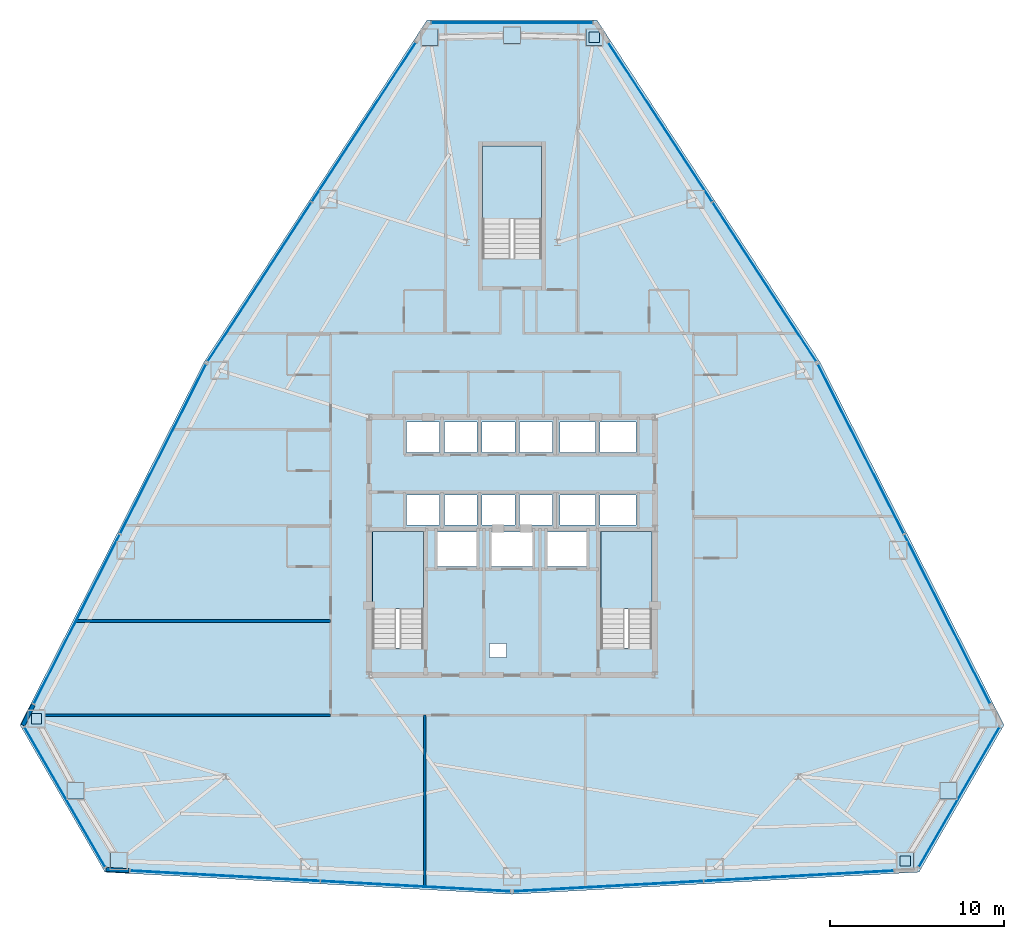
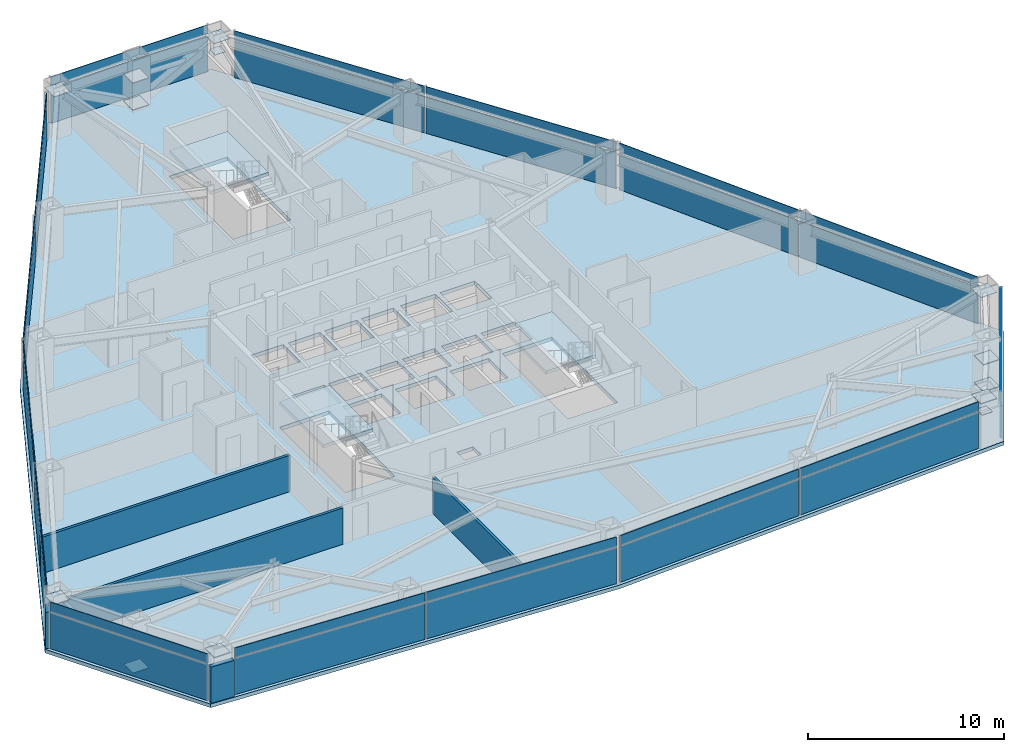
# One storey, part 8 of 12: 45 plates, 5 walls, 4 slabs, 12 elements without a shape of their own.
"""IFC4 building model written with IfcOpenShell, lengths in metres."""

import ifcopenshell
import ifcopenshell.guid

model = None  # the IFC model being written
_history = None  # IfcOwnerHistory: only IFC2X3 demands one
_inside = {}  # id of a spatial element -> (the spatial element, [elements in it])
_under = {}  # id of a project, library or spatial element -> (it, [spatial elements below it])
_declared = {}  # id of a project -> (the project, [libraries it declares])
_typed = {}  # id of a type object -> (the type object, [elements of that type])
_made_of = {}  # id of a material, layer set ... -> (it, [elements and type objects made of it])


def new_model(schema):
    """Start an empty IFC model of exactly this schema.

    Asked for "IFC4X3", IfcOpenShell would pick the latest addendum, in which some entities
    have other attributes; the version numbers below select the first issue.
    IFC2X3 requires an IfcOwnerHistory on every rooted entity: one is made here for all.
    """
    global model, _history
    if schema == "IFC4X3":
        model = ifcopenshell.file(schema_version=(4, 3, 0, 0))
    else:
        model = ifcopenshell.file(schema=schema)
    _inside.clear()
    _under.clear()
    _declared.clear()
    _typed.clear()
    _made_of.clear()
    _history = None
    if model.schema == "IFC2X3":
        org = make("IfcOrganization", Name="unknown")
        user = make(
            "IfcPersonAndOrganization",
            ThePerson=make("IfcPerson", FamilyName="unknown"),
            TheOrganization=org,
        )
        app = make(
            "IfcApplication",
            ApplicationDeveloper=org,
            Version="unknown",
            ApplicationFullName="unknown",
            ApplicationIdentifier="unknown",
        )
        _history = make(
            "IfcOwnerHistory",
            OwningUser=user,
            OwningApplication=app,
            ChangeAction="ADDED",
            CreationDate=0,
        )
    return model


def make(cls, **values):
    """One entity of the class cls with the attributes given. An attribute that is None is left unset."""
    return model.create_entity(
        cls, **{name: value for name, value in values.items() if value is not None}
    )


def rooted(cls, **values):
    """An entity with a GlobalId (a new one), such as an element, a storey or a relation."""
    return make(cls, GlobalId=ifcopenshell.guid.new(), OwnerHistory=_history, **values)


def si_unit(unit_type, name, prefix=None):
    """IfcSIUnit, for example si_unit("LENGTHUNIT", "METRE", prefix="MILLI")."""
    return make("IfcSIUnit", UnitType=unit_type, Prefix=prefix, Name=name)


def assignment(units):
    """IfcUnitAssignment: the units of a project."""
    return None if units is None else make("IfcUnitAssignment", Units=units)


def point(xyz):
    """IfcCartesianPoint."""
    return None if xyz is None else make("IfcCartesianPoint", Coordinates=xyz)


def direction(xyz):
    """IfcDirection."""
    return None if xyz is None else make("IfcDirection", DirectionRatios=xyz)


def frame(location, z_axis=None, x_axis=None):
    """IfcAxis2Placement3D, a coordinate frame: its origin and axes. An axis left out is left unset."""
    return make(
        "IfcAxis2Placement3D",
        Location=point(location),
        Axis=direction(z_axis),
        RefDirection=direction(x_axis),
    )


def frame_2d(location, x_axis=None):
    """IfcAxis2Placement2D, a coordinate frame in the plane: its origin and x axis."""
    return make(
        "IfcAxis2Placement2D", Location=point(location), RefDirection=direction(x_axis)
    )


def origin():
    """The frame at (0, 0, 0) with its axes left unset."""
    return frame((0.0, 0.0, 0.0))


def origin_2d():
    """The frame at (0, 0) in the plane with its x axis left unset."""
    return frame_2d((0.0, 0.0))


def place(relative_to, where):
    """IfcLocalPlacement: puts the frame where relative to a parent placement (None: the world)."""
    return make(
        "IfcLocalPlacement", PlacementRelTo=relative_to, RelativePlacement=where
    )


def context(
    kind, dimensions, precision=None, world=None, true_north=None, identifier=None
):
    """IfcGeometricRepresentationContext, for example the 3D "Model" context."""
    return make(
        "IfcGeometricRepresentationContext",
        ContextIdentifier=identifier,
        ContextType=kind,
        CoordinateSpaceDimension=dimensions,
        Precision=precision,
        WorldCoordinateSystem=world,
        TrueNorth=true_north,
    )


def subcontext(parent, identifier, kind, view, scale=None):
    """IfcGeometricRepresentationSubContext, for example "Body" below "Model"."""
    return make(
        "IfcGeometricRepresentationSubContext",
        ContextIdentifier=identifier,
        ContextType=kind,
        ParentContext=parent,
        TargetScale=scale,
        TargetView=view,
    )


def project(units=None, contexts=None):
    """IfcProject with its units and contexts."""
    return rooted(
        "IfcProject",
        Name="project",
        RepresentationContexts=contexts,
        UnitsInContext=assignment(units),
    )


def spatial(cls, under=None, at=None, **own):
    """A site, building, storey or space (cls), placed at a placement, below another one or the project."""
    s = rooted(cls, ObjectPlacement=at, **own)
    if under is not None:
        _under.setdefault(under.id(), (under, []))[1].append(s)
    return s


def polyline(points):
    """IfcPolyline through the points."""
    return make("IfcPolyline", Points=[point(p) for p in points])


def profile(cls, at=None, kind="AREA", **sizes):
    """A parametric profile (cls). Its sizes go by their IFC names, for example OverallWidth=200.0."""
    return make(cls, ProfileType=kind, Position=at, **sizes)


def rectangle(**sizes):
    """IfcRectangleProfileDef."""
    return profile("IfcRectangleProfileDef", **sizes)


def outline(outer, holes=None, kind="AREA"):
    """IfcArbitraryClosedProfileDef: a profile drawn as a closed curve; with holes, ...WithVoids."""
    if holes is None:
        return make("IfcArbitraryClosedProfileDef", ProfileType=kind, OuterCurve=outer)
    return make(
        "IfcArbitraryProfileDefWithVoids",
        ProfileType=kind,
        OuterCurve=outer,
        InnerCurves=holes,
    )


def extrude(swept, where, along, depth):
    """IfcExtrudedAreaSolid: the profile swept, set in the frame where, extruded along a direction by depth."""
    return make(
        "IfcExtrudedAreaSolid",
        SweptArea=swept,
        Position=where,
        ExtrudedDirection=direction(along),
        Depth=depth,
    )


def shape(context_of_items, identifier, shape_type, items):
    """IfcShapeRepresentation: the items that make up one representation, for example the "Body"."""
    return make(
        "IfcShapeRepresentation",
        ContextOfItems=context_of_items,
        RepresentationIdentifier=identifier,
        RepresentationType=shape_type,
        Items=items,
    )


def source(mapping_origin, context_of_items, identifier, shape_type, items):
    """IfcRepresentationMap: a shape defined once, which mapped items show again and again."""
    return make(
        "IfcRepresentationMap",
        MappingOrigin=mapping_origin,
        MappedRepresentation=shape(context_of_items, identifier, shape_type, items),
    )


def transform(
    local_origin,
    x_axis=None,
    y_axis=None,
    z_axis=None,
    scale=None,
    scale2=None,
    scale3=None,
    uniform=True,
):
    """IfcCartesianTransformationOperator3D, or its non-uniform kind. x_axis, y_axis, z_axis: its Axis1, 2, 3."""
    if uniform:
        return make(
            "IfcCartesianTransformationOperator3D",
            Axis1=direction(x_axis),
            Axis2=direction(y_axis),
            LocalOrigin=point(local_origin),
            Scale=scale,
            Axis3=direction(z_axis),
        )
    return make(
        "IfcCartesianTransformationOperator3DnonUniform",
        Axis1=direction(x_axis),
        Axis2=direction(y_axis),
        LocalOrigin=point(local_origin),
        Scale=scale,
        Axis3=direction(z_axis),
        Scale2=scale2,
        Scale3=scale3,
    )


def mapped(mapping_source, mapping_target):
    """IfcMappedItem: shows the shape of a source again, moved by a transform."""
    return make(
        "IfcMappedItem", MappingSource=mapping_source, MappingTarget=mapping_target
    )


def material(Name=None, Category=None):
    """IfcMaterial."""
    return make("IfcMaterial", Name=Name, Category=Category)


def layer(
    of_material, thickness, ventilated=None, Name=None, Category=None, Priority=None
):
    """IfcMaterialLayer: one layer of a wall or slab, of a material (None: an air gap)."""
    return make(
        "IfcMaterialLayer",
        Material=of_material,
        LayerThickness=thickness,
        IsVentilated=ventilated,
        Name=Name,
        Category=Category,
        Priority=Priority,
    )


def layer_set(layers, Name=None):
    """IfcMaterialLayerSet."""
    return make("IfcMaterialLayerSet", MaterialLayers=layers, LayerSetName=Name)


def made_of(thing, what):
    """Note that an element or type object is made of a material, layer set ...; save() writes the relation."""
    if what is not None:
        _made_of.setdefault(what.id(), (what, []))[1].append(thing)
    return thing


def type_object(cls, material=None, **own):
    """A type object (cls), such as IfcWallType, which elements share."""
    return made_of(rooted(cls, **own), material)


def type_shapes(of_type, sources):
    """Give a type object the sources (RepresentationMaps) that its elements show as mapped items."""
    of_type.RepresentationMaps = sources


def element(
    cls,
    number,
    at=None,
    inside=None,
    cuts=None,
    type_object=None,
    material=None,
    context=None,
    identifier="Body",
    shape_type=None,
    held_by="IfcProductDefinitionShape",
    body=None,
    shapes=None,
    **own,
):
    """One element of the class cls, such as IfcWall. Its Tag is "e" and its number.

    at: its placement. inside: the storey or other place that contains it. cuts: it is an
    opening in that element (IfcRelVoidsElement). A single representation is given by context,
    identifier, shape_type and body (its items); several are given by shapes. held_by: the class
    of the entity that holds the representations. save() writes the other relations.
    """
    e = rooted(cls, Tag="e%d" % number, ObjectPlacement=at, **own)
    if body is not None:
        shapes = [shape(context, identifier, shape_type, body)]
    if shapes is not None:
        e.Representation = make(held_by, Representations=shapes)
    if inside is not None:
        _inside.setdefault(inside.id(), (inside, []))[1].append(e)
    if cuts is not None:
        rooted(
            "IfcRelVoidsElement", RelatingBuildingElement=cuts, RelatedOpeningElement=e
        )
    if type_object is not None:
        _typed.setdefault(type_object.id(), (type_object, []))[1].append(e)
    return made_of(e, material)


def aggregate(whole, parts):
    """IfcRelAggregates: a whole, such as a stair, and the parts it consists of."""
    return rooted("IfcRelAggregates", RelatingObject=whole, RelatedObjects=parts)


def save(model, path):
    """Write the relations noted so far, then the file.

    IfcRelAggregates (storeys below a building ...), IfcRelContainedInSpatialStructure (elements
    in a storey), IfcRelDefinesByType, IfcRelAssociatesMaterial and IfcRelDeclares: one each for
    every whole, place, type object, material and project.
    """
    for whole, parts in _under.values():
        aggregate(whole, parts)
    for where, things in _inside.values():
        rooted(
            "IfcRelContainedInSpatialStructure",
            RelatedElements=things,
            RelatingStructure=where,
        )
    for kind, things in _typed.values():
        rooted("IfcRelDefinesByType", RelatedObjects=things, RelatingType=kind)
    for what, things in _made_of.values():
        rooted("IfcRelAssociatesMaterial", RelatedObjects=things, RelatingMaterial=what)
    for by, libraries in _declared.values():
        rooted("IfcRelDeclares", RelatingContext=by, RelatedDefinitions=libraries)
    model.write(path)


model = new_model("IFC4")

# Units and contexts
model_context = context("Model", 3, precision=1e-05, world=origin(), true_north=direction((0.0, 1.0)))
body_context = subcontext(model_context, "Body", "Model", "MODEL_VIEW")
ifc_project = project(units=[si_unit("LENGTHUNIT", "METRE"), si_unit("AREAUNIT", "SQUARE_METRE"), si_unit("VOLUMEUNIT", "CUBIC_METRE"), si_unit("PLANEANGLEUNIT", "RADIAN"), si_unit("MASSUNIT", "GRAM", prefix="KILO")], contexts=[model_context])

# Site, building, storey
site_placement = place(None, origin())
site = spatial("IfcSite", under=ifc_project, at=site_placement, CompositionType="ELEMENT")
building_placement = place(site_placement, origin())
building = spatial("IfcBuilding", under=site, at=building_placement, Name="Varakhsha Concourse Tower", CompositionType="ELEMENT")
storey_placement = place(building_placement, frame((0.0, 0.0, 76.60009765625)))
storey = spatial("IfcBuildingStorey", under=building, at=storey_placement, Name="L21", CompositionType="ELEMENT", Elevation=76.60009765625)

# Slab
ifc_material_1 = material(Name="Concrete fc 45 MPa", Category="concrete")
ifc_layer_1 = layer(ifc_material_1, 0.22998046875, Name="SL-FLR-230")
ifc_layer_set_1 = layer_set([ifc_layer_1], Name="Concrete fc 45 MPa")
slab_type_1 = type_object("IfcSlabType", Name="SL-FLR-230", PredefinedType="FLOOR", material=ifc_layer_set_1)
slab_1_placement = place(storey_placement, frame((0.0, 0.0, -0.22998046875)))
element("IfcSlab", 1, at=slab_1_placement, inside=storey, type_object=slab_type_1, Name="L21 Composite Structural Slab", PredefinedType="FLOOR", context=body_context, shape_type="SweptSolid", body=[
    extrude(outline(polyline([(44.87158203125, 53.96240234375), (35.12841796875, 53.96240234375), (22.360595703125, 34.384033203125), (11.789306640625, 13.53759765625), (16.66064453125, 5.10009765625), (40.0, 3.831787109375), (63.33935546875, 5.10009765625), (68.210693359375, 13.53759765625), (57.639404296875, 34.384033203125), (44.87158203125, 53.96240234375)]), holes=[polyline([(34.919921875, 17.93994140625), (34.919921875, 24.6298828125), (32.0, 24.6298828125), (32.0, 17.93994140625), (34.919921875, 17.93994140625)]), polyline([(48.02001953125, 17.93994140625), (48.02001953125, 24.6298828125), (45.10009765625, 24.6298828125), (45.10009765625, 17.93994140625), (48.02001953125, 17.93994140625)]), polyline([(41.699951171875, 40.300048828125), (41.699951171875, 46.75), (38.300048828125, 46.75), (38.300048828125, 40.300048828125), (41.699951171875, 40.300048828125)]), polyline([(33.9599609375, 29.159912109375), (35.840087890625, 29.159912109375), (35.840087890625, 30.89990234375), (33.9599609375, 30.89990234375), (33.9599609375, 29.159912109375)]), polyline([(36.1201171875, 29.159912109375), (38.0, 29.159912109375), (38.0, 30.89990234375), (36.1201171875, 30.89990234375), (36.1201171875, 29.159912109375)]), polyline([(38.280029296875, 29.159912109375), (40.159912109375, 29.159912109375), (40.159912109375, 30.89990234375), (38.280029296875, 30.89990234375), (38.280029296875, 29.159912109375)]), polyline([(40.43994140625, 29.159912109375), (42.320068359375, 29.159912109375), (42.320068359375, 30.89990234375), (40.43994140625, 30.89990234375), (40.43994140625, 29.159912109375)]), polyline([(33.9599609375, 25.0), (35.840087890625, 25.0), (35.840087890625, 26.739990234375), (33.9599609375, 26.739990234375), (33.9599609375, 25.0)]), polyline([(36.1201171875, 25.0), (38.0, 25.0), (38.0, 26.739990234375), (36.1201171875, 26.739990234375), (36.1201171875, 25.0)]), polyline([(38.280029296875, 25.0), (40.159912109375, 25.0), (40.159912109375, 26.739990234375), (38.280029296875, 26.739990234375), (38.280029296875, 25.0)]), polyline([(40.43994140625, 25.0), (42.320068359375, 25.0), (42.320068359375, 26.739990234375), (40.43994140625, 26.739990234375), (40.43994140625, 25.0)]), polyline([(42.739990234375, 29.159912109375), (44.780029296875, 29.159912109375), (44.780029296875, 30.89990234375), (42.739990234375, 30.89990234375), (42.739990234375, 29.159912109375)]), polyline([(45.06005859375, 29.159912109375), (47.10009765625, 29.159912109375), (47.10009765625, 30.89990234375), (45.06005859375, 30.89990234375), (45.06005859375, 29.159912109375)]), polyline([(42.739990234375, 25.0), (44.780029296875, 25.0), (44.780029296875, 26.739990234375), (42.739990234375, 26.739990234375), (42.739990234375, 25.0)]), polyline([(45.06005859375, 25.0), (47.10009765625, 25.0), (47.10009765625, 26.739990234375), (45.06005859375, 26.739990234375), (45.06005859375, 25.0)]), polyline([(35.7099609375, 22.639892578125), (37.989990234375, 22.639892578125), (37.989990234375, 24.60009765625), (35.7099609375, 24.60009765625), (35.7099609375, 22.639892578125)]), polyline([(42.010009765625, 22.639892578125), (44.2900390625, 22.639892578125), (44.2900390625, 24.60009765625), (42.010009765625, 24.60009765625), (42.010009765625, 22.639892578125)]), polyline([(38.81005859375, 22.639892578125), (41.18994140625, 22.639892578125), (41.18994140625, 24.60009765625), (38.81005859375, 24.60009765625), (38.81005859375, 22.639892578125)]), polyline([(38.719970703125, 17.39990234375), (39.679931640625, 17.39990234375), (39.679931640625, 18.199951171875), (38.719970703125, 18.199951171875), (38.719970703125, 17.39990234375)])]), origin(), (0.0, 0.0, 1.0), 0.22998046875),
])

# Stair, slab
stair_type_1 = type_object("IfcStairType", Name="ST-DOGLEG-1360", PredefinedType="HALF_TURN_STAIR", material=ifc_material_1)
stair_1_placement = place(storey_placement, origin())
stair_1 = element("IfcStair", 2, at=stair_1_placement, inside=storey, type_object=stair_type_1, Name="L21 Protected Exit Stair ST1", PredefinedType="HALF_TURN_STAIR")
ifc_layer_2 = layer(ifc_material_1, 0.199951171875, Name="SL-LAND-200")
ifc_layer_set_2 = layer_set([ifc_layer_2], Name="Concrete fc 45 MPa")
slab_type_2 = type_object("IfcSlabType", Name="SL-LAND-200", PredefinedType="LANDING", material=ifc_layer_set_2)
slab_2_placement = place(storey_placement, frame((0.0, 0.0, 1.39990234375)))
slab_2 = element("IfcSlab", 3, at=slab_2_placement, type_object=slab_type_2, Name="ST1 landing 1", PredefinedType="LANDING", context=body_context, shape_type="SweptSolid", body=[
    extrude(outline(polyline([(34.919921875, 20.179931640625), (34.919921875, 24.6298828125), (32.0, 24.6298828125), (32.0, 20.179931640625), (34.919921875, 20.179931640625)])), origin(), (0.0, 0.0, 1.0), 0.199951171875),
])
aggregate(stair_1, [slab_2])

stair_2_placement = place(storey_placement, origin())
stair_2 = element("IfcStair", 4, at=stair_2_placement, inside=storey, type_object=stair_type_1, Name="L21 Protected Exit Stair ST2", PredefinedType="HALF_TURN_STAIR")
slab_3_placement = place(storey_placement, frame((0.0, 0.0, 1.39990234375)))
slab_3 = element("IfcSlab", 5, at=slab_3_placement, type_object=slab_type_2, Name="ST2 landing 1", PredefinedType="LANDING", context=body_context, shape_type="SweptSolid", body=[
    extrude(outline(polyline([(48.02001953125, 20.179931640625), (48.02001953125, 24.6298828125), (45.10009765625, 24.6298828125), (45.10009765625, 20.179931640625), (48.02001953125, 20.179931640625)])), origin(), (0.0, 0.0, 1.0), 0.199951171875),
])
aggregate(stair_2, [slab_3])

stair_type_2 = type_object("IfcStairType", Name="ST-DOGLEG-1600", PredefinedType="HALF_TURN_STAIR", material=ifc_material_1)
stair_3_placement = place(storey_placement, origin())
stair_3 = element("IfcStair", 6, at=stair_3_placement, inside=storey, type_object=stair_type_2, Name="L21 Protected Exit Stair ST5", PredefinedType="HALF_TURN_STAIR")
slab_4_placement = place(storey_placement, frame((0.0, 0.0, 1.39990234375)))
slab_4 = element("IfcSlab", 7, at=slab_4_placement, type_object=slab_type_2, Name="ST5 landing 1", PredefinedType="LANDING", context=body_context, shape_type="SweptSolid", body=[
    extrude(outline(polyline([(41.699951171875, 42.5400390625), (41.699951171875, 46.75), (38.300048828125, 46.75), (38.300048828125, 42.5400390625), (41.699951171875, 42.5400390625)])), origin(), (0.0, 0.0, 1.0), 0.199951171875),
])
aggregate(stair_3, [slab_4])

# Plates
ifc_material_2 = material(Name="Structural Steel ASTM A572 Grade 50", Category="steel")
ifc_layer_3 = layer(ifc_material_2, 0.030029296875, Name="PL-ENDCAP-950")
ifc_layer_set_3 = layer_set([ifc_layer_3], Name="Structural Steel ASTM A572 Grade 50")
plate_type_1 = type_object("IfcPlateType", Name="PL-ENDCAP-950", PredefinedType="USERDEFINED", material=ifc_layer_set_3)
shared_shape_1 = source(origin(), body_context, "Body", "SweptSolid", [
    extrude(rectangle(XDim=0.949951171875, YDim=0.949951171875, at=origin_2d()), origin(), (0.0, 0.0, 1.0), 0.030029296875),
])
type_shapes(plate_type_1, [shared_shape_1])
for number, where, z_axis, x_axis, name in (
    (8, (40.0, 53.08251953125, 0.10498046875), (0.0, 0.0, 1.0), (1.0, 0.0, 0.0), "Hollow Section End Cap GP-NODE-L21-0193"),
    (9, (44.7080078125, 52.963623046875, 2.65478515625), (0.0, 0.0, 1.0), (1.0, 0.0, 0.0), "Hollow Section End Cap GP-NODE-L21-0194"),
    (10, (35.2919921875, 52.963623046875, 2.65478515625), (0.0, 0.0, 1.0), (1.0, 0.0, 0.0), "Hollow Section End Cap GP-NODE-L21-0195"),
    (11, (14.987060546875, 9.7587890625, 0.10498046875), (0.0, 0.0, 1.0), (1.0, 0.0, 0.0), "Hollow Section End Cap GP-NODE-L21-0196"),
    (12, (12.73583984375, 13.8955078125, 2.65478515625), (0.0, 0.0, 1.0), (1.0, 0.0, 0.0), "Hollow Section End Cap GP-NODE-L21-0197"),
    (13, (17.44384765625, 5.740966796875, 2.65478515625), (0.0, 0.0, 1.0), (1.0, 0.0, 0.0), "Hollow Section End Cap GP-NODE-L21-0198"),
    (14, (65.012939453125, 9.7587890625, 0.10498046875), (0.0, 0.0, 1.0), (1.0, 0.0, 0.0), "Hollow Section End Cap GP-NODE-L21-0199"),
    (15, (62.55615234375, 5.740966796875, 2.65478515625), (0.0, 0.0, 1.0), (1.0, 0.0, 0.0), "Hollow Section End Cap GP-NODE-L21-0200"),
    (16, (67.26416015625, 13.8955078125, 2.65478515625), (0.0, 0.0, 1.0), (1.0, 0.0, 0.0), "Hollow Section End Cap GP-NODE-L21-0201"),
    (17, (40.0, 53.08251953125, 1.78466796875), (0.0, 0.0, 1.0), (1.0, 0.0, 0.0), "Hollow Section End Cap GP-NODE-L21-0202"),
    (18, (14.987060546875, 9.7587890625, 1.78466796875), (0.0, 0.0, 1.0), (1.0, 0.0, 0.0), "Hollow Section End Cap GP-NODE-L21-0203"),
    (19, (65.012939453125, 9.7587890625, 1.78466796875), (0.0, 0.0, 1.0), (1.0, 0.0, 0.0), "Hollow Section End Cap GP-NODE-L21-0204"),
):
    element("IfcPlate", number, at=place(storey_placement, frame(where, z_axis=z_axis, x_axis=x_axis)), inside=storey, type_object=plate_type_1, Name=name, ObjectType="END PLATE", PredefinedType="USERDEFINED", context=body_context, shape_type="MappedRepresentation", body=[
        mapped(shared_shape_1, transform((0.0, 0.0, 0.0), scale=1.0)),
    ])
ifc_layer_4 = layer(ifc_material_2, 0.030029296875, Name="PL-BASE-600")
ifc_layer_set_4 = layer_set([ifc_layer_4], Name="Structural Steel ASTM A572 Grade 50")
plate_type_2 = type_object("IfcPlateType", Name="PL-BASE-600", PredefinedType="SHEET", material=ifc_layer_set_4)
shared_shape_2 = source(origin(), body_context, "Body", "SweptSolid", [
    extrude(rectangle(XDim=0.60009765625, YDim=0.60009765625, at=origin_2d()), origin(), (0.0, 0.0, 1.0), 0.030029296875),
])
type_shapes(plate_type_2, [shared_shape_2])
for number, where, z_axis, x_axis, name in (
    (20, (44.7080078125, 52.963623046875, 1.78466796875), (0.0, 0.0, 1.0), (1.0, 0.0, 0.0), "Hollow Section End Cap BP-WTIE-L21-1"),
    (21, (12.73583984375, 13.8955078125, 1.78466796875), (0.0, 0.0, 1.0), (1.0, 0.0, 0.0), "Hollow Section End Cap BP-WTIE-L21-2"),
    (22, (62.55615234375, 5.740966796875, 1.78466796875), (0.0, 0.0, 1.0), (1.0, 0.0, 0.0), "Hollow Section End Cap BP-WTIE-L21-3"),
):
    element("IfcPlate", number, at=place(storey_placement, frame(where, z_axis=z_axis, x_axis=x_axis)), inside=storey, type_object=plate_type_2, Name=name, PredefinedType="SHEET", context=body_context, shape_type="MappedRepresentation", body=[
        mapped(shared_shape_2, transform((0.0, 0.0, 0.0), scale=1.0)),
    ])

# Curtain wall, plates
ifc_material_3 = material(Name="Anodised Bronze Architectural Aluminium AA 6063-T6", Category="aluminium")
ifc_layer_5 = layer(ifc_material_3, 0.199951171875, Name="CW-SYS-03")
ifc_layer_set_5 = layer_set([ifc_layer_5], Name="Anodised Bronze Architectural Aluminium AA 6063-T6")
curtain_wall_type = type_object("IfcCurtainWallType", Name="CW-SYS-03", PredefinedType="NOTDEFINED", material=ifc_layer_set_5)
curtain_wall_1_placement = place(storey_placement, origin())
curtain_wall_1 = element("IfcCurtainWall", 23, at=curtain_wall_1_placement, inside=storey, type_object=curtain_wall_type, Name="L21 Chamfer Curtain Wall F1", PredefinedType="NOTDEFINED")
ifc_material_4 = material(Name="Insulated Anodised Bronze Aluminium Spandrel 36 mm", Category="aluminium")
ifc_layer_6 = layer(ifc_material_4, 0.035888671875, Name="CWP-SPN-36")
ifc_layer_set_6 = layer_set([ifc_layer_6], Name="Insulated Anodised Bronze Aluminium Spandrel 36 mm")
plate_type_3 = type_object("IfcPlateType", Name="CWP-SPN-36", PredefinedType="USERDEFINED", material=ifc_layer_set_6)
shared_shape_3 = source(origin(), body_context, "Body", "SweptSolid", [
    extrude(rectangle(XDim=9.22412109375, YDim=0.035888671875, at=origin_2d()), origin(), (0.0, 0.0, 1.0), 2.2509765625),
])
plate_1_placement = place(storey_placement, frame((40.0, 53.802490234375, 0.034423828125), z_axis=(0.0, 0.0, 1.0), x_axis=(1.0, 0.0, 0.0)))
plate_1 = element("IfcPlate", 24, at=plate_1_placement, type_object=plate_type_3, Name="CW-L21-F1 Panel 00-00", ObjectType="SPANDREL", PredefinedType="USERDEFINED", context=body_context, shape_type="MappedRepresentation", body=[
    mapped(shared_shape_3, transform((0.0, 0.0, 0.0), scale=1.0)),
])
ifc_material_5 = material(Name="Glazed Turquoise-Bronze Ceramic Spandrel Panel 38 mm", Category="ceramic")
ifc_layer_7 = layer(ifc_material_5, 0.0380859375, Name="CWP-SPN-38")
ifc_layer_set_7 = layer_set([ifc_layer_7], Name="Glazed Turquoise-Bronze Ceramic Spandrel Panel 38 mm")
plate_type_4 = type_object("IfcPlateType", Name="CWP-SPN-38", PredefinedType="USERDEFINED", material=ifc_layer_set_7)
shared_shape_4 = source(origin(), body_context, "Body", "SweptSolid", [
    extrude(rectangle(XDim=9.22412109375, YDim=0.0380859375, at=origin_2d()), origin(), (0.0, 0.0, 1.0), 0.5810546875),
])
plate_2_placement = place(storey_placement, frame((40.0, 53.802490234375, 2.3544921875), z_axis=(0.0, 0.0, 1.0), x_axis=(1.0, 0.0, 0.0)))
plate_2 = element("IfcPlate", 25, at=plate_2_placement, type_object=plate_type_4, Name="CW-L21-F1 Panel 00-01", ObjectType="SPANDREL", PredefinedType="USERDEFINED", context=body_context, shape_type="MappedRepresentation", body=[
    mapped(shared_shape_4, transform((0.0, 0.0, 0.0), scale=1.0)),
])
aggregate(curtain_wall_1, [plate_1, plate_2])

curtain_wall_2_placement = place(storey_placement, origin())
curtain_wall_2 = element("IfcCurtainWall", 26, at=curtain_wall_2_placement, inside=storey, type_object=curtain_wall_type, Name="L21 Crystal Curtain Wall F2", PredefinedType="NOTDEFINED")
ifc_material_6 = material(Name="Low-E Triple Insulating Glass IGU 44 mm", Category="glass")
ifc_layer_8 = layer(ifc_material_6, 0.0439453125, Name="CWP-IGU-44")
ifc_layer_set_8 = layer_set([ifc_layer_8], Name="Low-E Triple Insulating Glass IGU 44 mm")
plate_type_5 = type_object("IfcPlateType", Name="CWP-IGU-44", PredefinedType="CURTAIN_PANEL", material=ifc_layer_set_8)
shared_shape_5 = source(origin(), body_context, "Body", "SweptSolid", [
    extrude(rectangle(XDim=10.85791015625, YDim=0.0439453125, at=origin_2d()), origin(), (0.0, 0.0, 1.0), 2.2509765625),
])
type_shapes(plate_type_5, [shared_shape_5])
plate_3_placement = place(storey_placement, frame((25.525390625, 38.944091796875, 0.034423828125), z_axis=(0.0, 0.0, 1.0), x_axis=(0.546249624122, 0.837622437705, 0.0)))
plate_3 = element("IfcPlate", 27, at=plate_3_placement, type_object=plate_type_5, Name="CW-L21-F2 Panel 00-00", PredefinedType="CURTAIN_PANEL", context=body_context, shape_type="MappedRepresentation", body=[
    mapped(shared_shape_5, transform((0.0, 0.0, 0.0), scale=1.0)),
])
plate_4_placement = place(storey_placement, frame((31.499755859375, 48.10498046875, 0.034423828125), z_axis=(0.0, 0.0, 1.0), x_axis=(0.546249624122, 0.837622437705, 0.0)))
plate_4 = element("IfcPlate", 28, at=plate_4_placement, type_object=plate_type_5, Name="CW-L21-F2 Panel 01-00", PredefinedType="CURTAIN_PANEL", context=body_context, shape_type="MappedRepresentation", body=[
    mapped(shared_shape_5, transform((0.0, 0.0, 0.0), scale=1.0)),
])

curtain_wall_3_placement = place(storey_placement, origin())
curtain_wall_3 = element("IfcCurtainWall", 29, at=curtain_wall_3_placement, inside=storey, type_object=curtain_wall_type, Name="L21 Crystal Curtain Wall F3", PredefinedType="NOTDEFINED")
plate_5_placement = place(storey_placement, frame((15.04736328125, 19.60888671875, 0.034423828125), z_axis=(0.0, 0.0, 1.0), x_axis=(0.45227438453, 0.891878848891, 0.0)))
plate_5 = element("IfcPlate", 30, at=plate_5_placement, type_object=plate_type_5, Name="CW-L21-F3 Panel 00-00", PredefinedType="CURTAIN_PANEL", context=body_context, shape_type="MappedRepresentation", body=[
    mapped(shared_shape_5, transform((0.0, 0.0, 0.0), scale=1.0)),
])
plate_6_placement = place(storey_placement, frame((19.993896484375, 29.36328125, 0.034423828125), z_axis=(0.0, 0.0, 1.0), x_axis=(0.45227438453, 0.891878848891, 0.0)))
plate_6 = element("IfcPlate", 31, at=plate_6_placement, type_object=plate_type_5, Name="CW-L21-F3 Panel 01-00", PredefinedType="CURTAIN_PANEL", context=body_context, shape_type="MappedRepresentation", body=[
    mapped(shared_shape_5, transform((0.0, 0.0, 0.0), scale=1.0)),
])

curtain_wall_4_placement = place(storey_placement, origin())
curtain_wall_4 = element("IfcCurtainWall", 32, at=curtain_wall_4_placement, inside=storey, type_object=curtain_wall_type, Name="L21 Crystal Curtain Wall F5", PredefinedType="NOTDEFINED")
plate_7_placement = place(storey_placement, frame((34.468505859375, 4.29248046875, 0.034423828125), z_axis=(0.0, 0.0, 1.0), x_axis=(-0.998527027199, 0.054256575203, 0.0)))
plate_7 = element("IfcPlate", 33, at=plate_7_placement, type_object=plate_type_5, Name="CW-L21-F5 Panel 00-00", PredefinedType="CURTAIN_PANEL", context=body_context, shape_type="MappedRepresentation", body=[
    mapped(shared_shape_5, transform((0.0, 0.0, 0.0), scale=1.0)),
])
plate_8_placement = place(storey_placement, frame((23.547607421875, 4.885986328125, 0.034423828125), z_axis=(0.0, 0.0, 1.0), x_axis=(-0.998527027199, 0.054256575203, 0.0)))
plate_8 = element("IfcPlate", 34, at=plate_8_placement, type_object=plate_type_5, Name="CW-L21-F5 Panel 01-00", PredefinedType="CURTAIN_PANEL", context=body_context, shape_type="MappedRepresentation", body=[
    mapped(shared_shape_5, transform((0.0, 0.0, 0.0), scale=1.0)),
])

curtain_wall_5_placement = place(storey_placement, origin())
curtain_wall_5 = element("IfcCurtainWall", 35, at=curtain_wall_5_placement, inside=storey, type_object=curtain_wall_type, Name="L21 Crystal Curtain Wall F6", PredefinedType="NOTDEFINED")
plate_9_placement = place(storey_placement, frame((56.452392578125, 4.885986328125, 0.034423828125), z_axis=(0.0, 0.0, 1.0), x_axis=(-0.998527027199, -0.054256575203, 0.0)))
plate_9 = element("IfcPlate", 36, at=plate_9_placement, type_object=plate_type_5, Name="CW-L21-F6 Panel 00-00", PredefinedType="CURTAIN_PANEL", context=body_context, shape_type="MappedRepresentation", body=[
    mapped(shared_shape_5, transform((0.0, 0.0, 0.0), scale=1.0)),
])
plate_10_placement = place(storey_placement, frame((45.531494140625, 4.29248046875, 0.034423828125), z_axis=(0.0, 0.0, 1.0), x_axis=(-0.998527027199, -0.054256575203, 0.0)))
plate_10 = element("IfcPlate", 37, at=plate_10_placement, type_object=plate_type_5, Name="CW-L21-F6 Panel 01-00", PredefinedType="CURTAIN_PANEL", context=body_context, shape_type="MappedRepresentation", body=[
    mapped(shared_shape_5, transform((0.0, 0.0, 0.0), scale=1.0)),
])

curtain_wall_6_placement = place(storey_placement, origin())
curtain_wall_6 = element("IfcCurtainWall", 38, at=curtain_wall_6_placement, inside=storey, type_object=curtain_wall_type, Name="L21 Crystal Curtain Wall F8", PredefinedType="NOTDEFINED")
plate_11_placement = place(storey_placement, frame((60.006103515625, 29.36328125, 0.034423828125), z_axis=(0.0, 0.0, 1.0), x_axis=(0.45227438453, -0.891878848891, 0.0)))
plate_11 = element("IfcPlate", 39, at=plate_11_placement, type_object=plate_type_5, Name="CW-L21-F8 Panel 00-00", PredefinedType="CURTAIN_PANEL", context=body_context, shape_type="MappedRepresentation", body=[
    mapped(shared_shape_5, transform((0.0, 0.0, 0.0), scale=1.0)),
])
plate_12_placement = place(storey_placement, frame((64.95263671875, 19.60888671875, 0.034423828125), z_axis=(0.0, 0.0, 1.0), x_axis=(0.45227438453, -0.891878848891, 0.0)))
plate_12 = element("IfcPlate", 40, at=plate_12_placement, type_object=plate_type_5, Name="CW-L21-F8 Panel 01-00", PredefinedType="CURTAIN_PANEL", context=body_context, shape_type="MappedRepresentation", body=[
    mapped(shared_shape_5, transform((0.0, 0.0, 0.0), scale=1.0)),
])

curtain_wall_7_placement = place(storey_placement, origin())
curtain_wall_7 = element("IfcCurtainWall", 41, at=curtain_wall_7_placement, inside=storey, type_object=curtain_wall_type, Name="L21 Crystal Curtain Wall F9", PredefinedType="NOTDEFINED")
plate_13_placement = place(storey_placement, frame((48.500244140625, 48.10498046875, 0.034423828125), z_axis=(0.0, 0.0, 1.0), x_axis=(0.546249624122, -0.837622437705, 0.0)))
plate_13 = element("IfcPlate", 42, at=plate_13_placement, type_object=plate_type_5, Name="CW-L21-F9 Panel 00-00", PredefinedType="CURTAIN_PANEL", context=body_context, shape_type="MappedRepresentation", body=[
    mapped(shared_shape_5, transform((0.0, 0.0, 0.0), scale=1.0)),
])
plate_14_placement = place(storey_placement, frame((54.474609375, 38.944091796875, 0.034423828125), z_axis=(0.0, 0.0, 1.0), x_axis=(0.546249624122, -0.837622437705, 0.0)))
plate_14 = element("IfcPlate", 43, at=plate_14_placement, type_object=plate_type_5, Name="CW-L21-F9 Panel 01-00", PredefinedType="CURTAIN_PANEL", context=body_context, shape_type="MappedRepresentation", body=[
    mapped(shared_shape_5, transform((0.0, 0.0, 0.0), scale=1.0)),
])

# Plate
shared_shape_6 = source(origin(), body_context, "Body", "SweptSolid", [
    extrude(rectangle(XDim=10.85791015625, YDim=0.0380859375, at=origin_2d()), origin(), (0.0, 0.0, 1.0), 0.5810546875),
])
plate_15_placement = place(storey_placement, frame((25.525390625, 38.944091796875, 2.3544921875), z_axis=(0.0, 0.0, 1.0), x_axis=(0.546249624122, 0.837622437705, 0.0)))
plate_15 = element("IfcPlate", 44, at=plate_15_placement, type_object=plate_type_4, Name="CW-L21-F2 Panel 00-01", ObjectType="SPANDREL", PredefinedType="USERDEFINED", context=body_context, shape_type="MappedRepresentation", body=[
    mapped(shared_shape_6, transform((0.0, 0.0, 0.0), scale=1.0)),
])

plate_16_placement = place(storey_placement, frame((31.499755859375, 48.10498046875, 2.3544921875), z_axis=(0.0, 0.0, 1.0), x_axis=(0.546249624122, 0.837622437705, 0.0)))
plate_16 = element("IfcPlate", 45, at=plate_16_placement, type_object=plate_type_4, Name="CW-L21-F2 Panel 01-01", ObjectType="SPANDREL", PredefinedType="USERDEFINED", context=body_context, shape_type="MappedRepresentation", body=[
    mapped(shared_shape_6, transform((0.0, 0.0, 0.0), scale=1.0)),
])

aggregate(curtain_wall_2, [plate_3, plate_15, plate_4, plate_16])

plate_17_placement = place(storey_placement, frame((15.04736328125, 19.60888671875, 2.3544921875), z_axis=(0.0, 0.0, 1.0), x_axis=(0.45227438453, 0.891878848891, 0.0)))
plate_17 = element("IfcPlate", 46, at=plate_17_placement, type_object=plate_type_4, Name="CW-L21-F3 Panel 00-01", ObjectType="SPANDREL", PredefinedType="USERDEFINED", context=body_context, shape_type="MappedRepresentation", body=[
    mapped(shared_shape_6, transform((0.0, 0.0, 0.0), scale=1.0)),
])

plate_18_placement = place(storey_placement, frame((19.993896484375, 29.36328125, 2.3544921875), z_axis=(0.0, 0.0, 1.0), x_axis=(0.45227438453, 0.891878848891, 0.0)))
plate_18 = element("IfcPlate", 47, at=plate_18_placement, type_object=plate_type_4, Name="CW-L21-F3 Panel 01-01", ObjectType="SPANDREL", PredefinedType="USERDEFINED", context=body_context, shape_type="MappedRepresentation", body=[
    mapped(shared_shape_6, transform((0.0, 0.0, 0.0), scale=1.0)),
])

aggregate(curtain_wall_3, [plate_5, plate_17, plate_6, plate_18])

plate_19_placement = place(storey_placement, frame((34.468505859375, 4.29248046875, 2.3544921875), z_axis=(0.0, 0.0, 1.0), x_axis=(-0.998527027199, 0.054256575203, 0.0)))
plate_19 = element("IfcPlate", 48, at=plate_19_placement, type_object=plate_type_4, Name="CW-L21-F5 Panel 00-01", ObjectType="SPANDREL", PredefinedType="USERDEFINED", context=body_context, shape_type="MappedRepresentation", body=[
    mapped(shared_shape_6, transform((0.0, 0.0, 0.0), scale=1.0)),
])

plate_20_placement = place(storey_placement, frame((23.547607421875, 4.885986328125, 2.3544921875), z_axis=(0.0, 0.0, 1.0), x_axis=(-0.998527027199, 0.054256575203, 0.0)))
plate_20 = element("IfcPlate", 49, at=plate_20_placement, type_object=plate_type_4, Name="CW-L21-F5 Panel 01-01", ObjectType="SPANDREL", PredefinedType="USERDEFINED", context=body_context, shape_type="MappedRepresentation", body=[
    mapped(shared_shape_6, transform((0.0, 0.0, 0.0), scale=1.0)),
])

aggregate(curtain_wall_4, [plate_7, plate_19, plate_8, plate_20])

plate_21_placement = place(storey_placement, frame((56.452392578125, 4.885986328125, 2.3544921875), z_axis=(0.0, 0.0, 1.0), x_axis=(-0.998527027199, -0.054256575203, 0.0)))
plate_21 = element("IfcPlate", 50, at=plate_21_placement, type_object=plate_type_4, Name="CW-L21-F6 Panel 00-01", ObjectType="SPANDREL", PredefinedType="USERDEFINED", context=body_context, shape_type="MappedRepresentation", body=[
    mapped(shared_shape_6, transform((0.0, 0.0, 0.0), scale=1.0)),
])

plate_22_placement = place(storey_placement, frame((45.531494140625, 4.29248046875, 2.3544921875), z_axis=(0.0, 0.0, 1.0), x_axis=(-0.998527027199, -0.054256575203, 0.0)))
plate_22 = element("IfcPlate", 51, at=plate_22_placement, type_object=plate_type_4, Name="CW-L21-F6 Panel 01-01", ObjectType="SPANDREL", PredefinedType="USERDEFINED", context=body_context, shape_type="MappedRepresentation", body=[
    mapped(shared_shape_6, transform((0.0, 0.0, 0.0), scale=1.0)),
])

aggregate(curtain_wall_5, [plate_9, plate_21, plate_10, plate_22])

plate_23_placement = place(storey_placement, frame((60.006103515625, 29.36328125, 2.3544921875), z_axis=(0.0, 0.0, 1.0), x_axis=(0.45227438453, -0.891878848891, 0.0)))
plate_23 = element("IfcPlate", 52, at=plate_23_placement, type_object=plate_type_4, Name="CW-L21-F8 Panel 00-01", ObjectType="SPANDREL", PredefinedType="USERDEFINED", context=body_context, shape_type="MappedRepresentation", body=[
    mapped(shared_shape_6, transform((0.0, 0.0, 0.0), scale=1.0)),
])

plate_24_placement = place(storey_placement, frame((64.95263671875, 19.60888671875, 2.3544921875), z_axis=(0.0, 0.0, 1.0), x_axis=(0.45227438453, -0.891878848891, 0.0)))
plate_24 = element("IfcPlate", 53, at=plate_24_placement, type_object=plate_type_4, Name="CW-L21-F8 Panel 01-01", ObjectType="SPANDREL", PredefinedType="USERDEFINED", context=body_context, shape_type="MappedRepresentation", body=[
    mapped(shared_shape_6, transform((0.0, 0.0, 0.0), scale=1.0)),
])

aggregate(curtain_wall_6, [plate_11, plate_23, plate_12, plate_24])

plate_25_placement = place(storey_placement, frame((48.500244140625, 48.10498046875, 2.3544921875), z_axis=(0.0, 0.0, 1.0), x_axis=(0.546249624122, -0.837622437705, 0.0)))
plate_25 = element("IfcPlate", 54, at=plate_25_placement, type_object=plate_type_4, Name="CW-L21-F9 Panel 00-01", ObjectType="SPANDREL", PredefinedType="USERDEFINED", context=body_context, shape_type="MappedRepresentation", body=[
    mapped(shared_shape_6, transform((0.0, 0.0, 0.0), scale=1.0)),
])

plate_26_placement = place(storey_placement, frame((54.474609375, 38.944091796875, 2.3544921875), z_axis=(0.0, 0.0, 1.0), x_axis=(0.546249624122, -0.837622437705, 0.0)))
plate_26 = element("IfcPlate", 55, at=plate_26_placement, type_object=plate_type_4, Name="CW-L21-F9 Panel 01-01", ObjectType="SPANDREL", PredefinedType="USERDEFINED", context=body_context, shape_type="MappedRepresentation", body=[
    mapped(shared_shape_6, transform((0.0, 0.0, 0.0), scale=1.0)),
])

aggregate(curtain_wall_7, [plate_13, plate_25, plate_14, plate_26])

# Curtain wall, plate
curtain_wall_8_placement = place(storey_placement, origin())
curtain_wall_8 = element("IfcCurtainWall", 56, at=curtain_wall_8_placement, inside=storey, type_object=curtain_wall_type, Name="L21 Chamfer Curtain Wall F4", PredefinedType="NOTDEFINED")
shared_shape_7 = source(origin(), body_context, "Body", "SweptSolid", [
    extrude(rectangle(XDim=9.223876953125, YDim=0.035888671875, at=origin_2d()), origin(), (0.0, 0.0, 1.0), 2.2509765625),
])
type_shapes(plate_type_3, [shared_shape_3, shared_shape_7])
plate_27_placement = place(storey_placement, frame((14.363525390625, 9.398681640625, 0.034423828125), z_axis=(0.0, 0.0, 1.0), x_axis=(-0.49999395399, 0.866028894422, 0.0)))
plate_27 = element("IfcPlate", 57, at=plate_27_placement, type_object=plate_type_3, Name="CW-L21-F4 Panel 00-00", ObjectType="SPANDREL", PredefinedType="USERDEFINED", context=body_context, shape_type="MappedRepresentation", body=[
    mapped(shared_shape_7, transform((0.0, 0.0, 0.0), scale=1.0)),
])

curtain_wall_9_placement = place(storey_placement, origin())
curtain_wall_9 = element("IfcCurtainWall", 58, at=curtain_wall_9_placement, inside=storey, type_object=curtain_wall_type, Name="L21 Chamfer Curtain Wall F7", PredefinedType="NOTDEFINED")
plate_28_placement = place(storey_placement, frame((65.636474609375, 9.398681640625, 0.034423828125), z_axis=(0.0, 0.0, 1.0), x_axis=(-0.49999395399, -0.866028894422, 0.0)))
plate_28 = element("IfcPlate", 59, at=plate_28_placement, type_object=plate_type_3, Name="CW-L21-F7 Panel 00-00", ObjectType="SPANDREL", PredefinedType="USERDEFINED", context=body_context, shape_type="MappedRepresentation", body=[
    mapped(shared_shape_7, transform((0.0, 0.0, 0.0), scale=1.0)),
])

# Plate
shared_shape_8 = source(origin(), body_context, "Body", "SweptSolid", [
    extrude(rectangle(XDim=9.223876953125, YDim=0.0380859375, at=origin_2d()), origin(), (0.0, 0.0, 1.0), 0.5810546875),
])
type_shapes(plate_type_4, [shared_shape_4, shared_shape_6, shared_shape_8])
plate_29_placement = place(storey_placement, frame((14.363525390625, 9.398681640625, 2.3544921875), z_axis=(0.0, 0.0, 1.0), x_axis=(-0.49999395399, 0.866028894422, 0.0)))
plate_29 = element("IfcPlate", 60, at=plate_29_placement, type_object=plate_type_4, Name="CW-L21-F4 Panel 00-01", ObjectType="SPANDREL", PredefinedType="USERDEFINED", context=body_context, shape_type="MappedRepresentation", body=[
    mapped(shared_shape_8, transform((0.0, 0.0, 0.0), scale=1.0)),
])

aggregate(curtain_wall_8, [plate_27, plate_29])

plate_30_placement = place(storey_placement, frame((65.636474609375, 9.398681640625, 2.3544921875), z_axis=(0.0, 0.0, 1.0), x_axis=(-0.49999395399, -0.866028894422, 0.0)))
plate_30 = element("IfcPlate", 61, at=plate_30_placement, type_object=plate_type_4, Name="CW-L21-F7 Panel 00-01", ObjectType="SPANDREL", PredefinedType="USERDEFINED", context=body_context, shape_type="MappedRepresentation", body=[
    mapped(shared_shape_8, transform((0.0, 0.0, 0.0), scale=1.0)),
])

aggregate(curtain_wall_9, [plate_28, plate_30])

# Walls
ifc_layer_9 = layer(ifc_material_1, 0.239990234375, Name="WL-EXT-CRN-240")
ifc_layer_set_9 = layer_set([ifc_layer_9], Name="Concrete fc 45 MPa")
wall_type_1 = type_object("IfcWallType", Name="WL-EXT-CRN-240", PredefinedType="SHEAR", material=ifc_layer_set_9)
wall_1_placement = place(storey_placement, frame((12.55712890625, 14.6982421875, 0.0), z_axis=(0.0, 0.0, 1.0), x_axis=(-0.452239623624, -0.891896475396, 0.0)))
element("IfcWall", 62, at=wall_1_placement, inside=storey, type_object=wall_type_1, Name="L21 Wind-Corner Shoulder Wall F3", PredefinedType="SHEAR", context=body_context, shape_type="SweptSolid", body=[
    extrude(rectangle(XDim=1.3193359375, YDim=0.239990234375, at=frame_2d((0.65966796875, 0.0))), origin(), (0.0, 0.0, 1.0), 2.2529296875),
])
wall_2_placement = place(storey_placement, frame((16.731201171875, 5.25634765625, 0.0), z_axis=(0.0, 0.0, 1.0), x_axis=(0.998531751411, -0.054169561778, 0.0)))
element("IfcWall", 63, at=wall_2_placement, inside=storey, type_object=wall_type_1, Name="L21 Wind-Corner Shoulder Wall F5", PredefinedType="SHEAR", context=body_context, shape_type="SweptSolid", body=[
    extrude(rectangle(XDim=1.320556640625, YDim=0.239990234375, at=frame_2d((0.66015625, 0.0))), origin(), (0.0, 0.0, 1.0), 2.2529296875),
])
ifc_material_7 = material(Name="Fire-Rated Type X Gypsum Partition Assembly", Category="gypsum")
ifc_layer_10 = layer(ifc_material_7, 0.14990234375, Name="WL-PART-150")
ifc_layer_set_10 = layer_set([ifc_layer_10], Name="Fire-Rated Type X Gypsum Partition Assembly")
wall_type_2 = type_object("IfcWallType", Name="WL-PART-150", PredefinedType="PARTITIONING", material=ifc_layer_set_10)
wall_3_placement = place(storey_placement, frame((35.0, 4.268798828125, 0.0), z_axis=(0.0, 0.0, 1.0), x_axis=(0.0, 1.0, 0.0)))
element("IfcWall", 64, at=wall_3_placement, inside=storey, type_object=wall_type_2, Name="L21 Wall HDIV-S1-L21", PredefinedType="PARTITIONING", context=body_context, shape_type="SweptSolid", body=[
    extrude(rectangle(XDim=9.831298828125, YDim=0.14990234375, at=frame_2d((4.91552734375, 0.0))), origin(), (0.0, 0.0, 1.0), 2.2578125),
])
wall_4_placement = place(storey_placement, frame((12.259521484375, 14.10009765625, 0.0), z_axis=(0.0, 0.0, 1.0), x_axis=(1.0, 0.0, 0.0)))
element("IfcWall", 65, at=wall_4_placement, inside=storey, type_object=wall_type_2, Name="L21 Wall HDIV-WB0-L21", PredefinedType="PARTITIONING", context=body_context, shape_type="SweptSolid", body=[
    extrude(rectangle(XDim=17.340576171875, YDim=0.14990234375, at=frame_2d((8.67041015625, 0.0))), origin(), (0.0, 0.0, 1.0), 2.2578125),
])
wall_5_placement = place(storey_placement, frame((14.997802734375, 19.5, 0.0), z_axis=(0.0, 0.0, 1.0), x_axis=(1.0, 0.0, 0.0)))
element("IfcWall", 66, at=wall_5_placement, inside=storey, type_object=wall_type_2, Name="L21 Wall HDIV-W1-L21", PredefinedType="PARTITIONING", context=body_context, shape_type="SweptSolid", body=[
    extrude(rectangle(XDim=14.602294921875, YDim=0.14990234375, at=frame_2d((7.30126953125, 0.0))), origin(), (0.0, 0.0, 1.0), 2.2578125),
])

save(model, "model.ifc")
